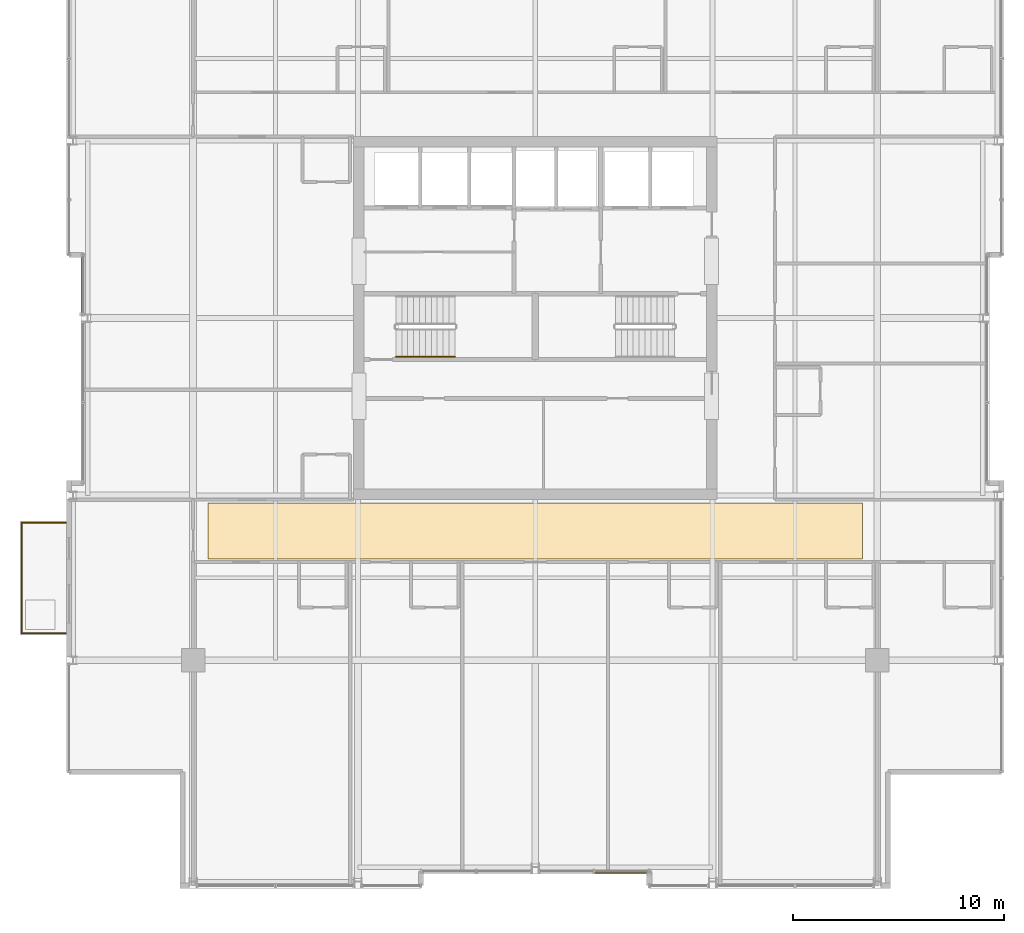
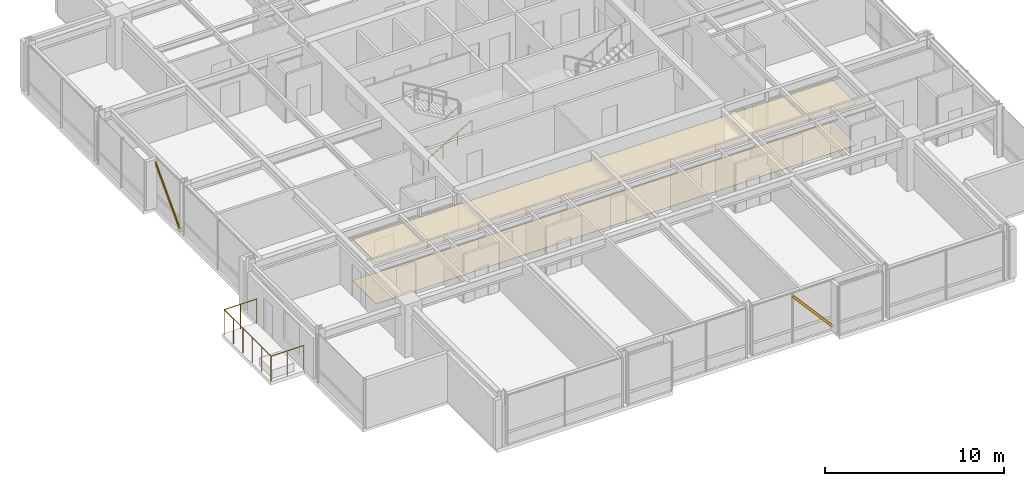
# One storey, part 30 of 32: 2 coverings, 2 railings, 2 shading devices.
"""IFC4 building model written with IfcOpenShell, lengths in metres."""

from ifc_helpers import new_model, si_unit, direction, frame, origin, origin_2d, place, context, subcontext, project, spatial, polyline, hollow_rectangle, circle, outline, extrude, material, layer, layer_set, material_profile, profile_set, type_object, element, save


model = new_model("IFC4")

# Units and contexts
model_context = context("Model", 3, precision=1e-05, world=origin(), true_north=direction((0.0, 1.0)))
body_context = subcontext(model_context, "Body", "Model", "MODEL_VIEW")
ifc_project = project(units=[si_unit("LENGTHUNIT", "METRE"), si_unit("AREAUNIT", "SQUARE_METRE"), si_unit("VOLUMEUNIT", "CUBIC_METRE"), si_unit("PLANEANGLEUNIT", "RADIAN"), si_unit("MASSUNIT", "GRAM", prefix="KILO")], contexts=[model_context])

# Site, building, storey
site_placement = place(None, origin())
site = spatial("IfcSite", under=ifc_project, at=site_placement, CompositionType="ELEMENT")
building_placement = place(site_placement, origin())
building = spatial("IfcBuilding", under=site, at=building_placement, Name="Drelvath Grand Hotel", CompositionType="ELEMENT")
storey_placement = place(building_placement, frame((0.0, 0.0, 233.89990234375)))
storey = spatial("IfcBuildingStorey", under=building, at=storey_placement, Name="L61", CompositionType="ELEMENT", Elevation=233.89990234375)

# Railing
ifc_material_1 = material(Name="Painted Steel S275", Category="steel")
railing_type_1 = type_object("IfcRailingType", Name="Core Stair Wall Handrail 900", PredefinedType="HANDRAIL", material=ifc_material_1)
railing_1_placement = place(storey_placement, frame((-6.60009765625, 25.169921875, 0.163818359375)))
element("IfcRailing", 1, at=railing_1_placement, inside=storey, type_object=railing_type_1, Name="L61 ST-1 stair handrail 1", PredefinedType="HANDRAIL", context=body_context, shape_type="SweptSolid", body=[
    extrude(circle(Radius=0.02392578125, at=origin_2d()), frame((0.0, 0.0, 0.8759765625), z_axis=(0.863393664356, 0.0, 0.504530851732), x_axis=(0.0, 1.0, 0.0)), (0.0, 0.0, 1.0), 3.2431640625),
    extrude(circle(Radius=0.02099609375, at=origin_2d()), origin(), (0.0, 0.0, 1.0), 0.851806640625),
    extrude(circle(Radius=0.02099609375, at=origin_2d()), frame((0.933349609375, 0.0, 0.54541015625)), (0.0, 0.0, 1.0), 0.851806640625),
    extrude(circle(Radius=0.02099609375, at=origin_2d()), frame((1.86669921875, 0.0, 1.0908203125)), (0.0, 0.0, 1.0), 0.851806640625),
    extrude(circle(Radius=0.02099609375, at=origin_2d()), frame((2.800048828125, 0.0, 1.63623046875)), (0.0, 0.0, 1.0), 0.851806640625),
])

# Shading devices
ifc_material_2 = material(Name="Platinum-Mist Anodised Aluminium", Category="aluminium")
ifc_material_profile = material_profile(ifc_material_2, hollow_rectangle(XDim=0.06494140625, YDim=0.159912109375, WallThickness=0.00390625, at=origin_2d()), Name="HSS160X65X4")
ifc_profile_set = profile_set([ifc_material_profile], Name="Platinum-Mist Anodised Aluminium")
shading_device_type = type_object("IfcShadingDeviceType", Name="Diagonal Solar Fin Platinum Anodised HSS160X65X4", PredefinedType="USERDEFINED", material=ifc_profile_set)
shading_device_1_placement = place(storey_placement, frame((-21.47998046875, 27.185302734375, 0.18017578125), z_axis=(0.0, 0.686658509865, 0.726980117218), x_axis=(-1.0, 0.0, 0.0)))
element("IfcShadingDevice", 2, at=shading_device_1_placement, inside=storey, type_object=shading_device_type, Name="L61 Diagonal Anodised Fin CW05-L61-WM2", ObjectType="FIN", PredefinedType="USERDEFINED", context=body_context, shape_type="SweptSolid", body=[
    extrude(hollow_rectangle(XDim=0.06494140625, YDim=0.159912109375, WallThickness=0.00390625, at=origin_2d()), origin(), (0.0, 0.0, 1.0), 4.09912109375),
])
shading_device_2_placement = place(storey_placement, frame((5.39990234375, 0.719970703125, 0.18017578125), z_axis=(-0.658460954074, 0.0, 0.752614889542), x_axis=(0.0, -1.0, 0.0)))
element("IfcShadingDevice", 3, at=shading_device_2_placement, inside=storey, type_object=shading_device_type, Name="L61 Diagonal Anodised Fin CW05-L61-SM2", ObjectType="FIN", PredefinedType="USERDEFINED", context=body_context, shape_type="SweptSolid", body=[
    extrude(hollow_rectangle(XDim=0.06494140625, YDim=0.159912109375, WallThickness=0.00390625, at=origin_2d()), origin(), (0.0, 0.0, 1.0), 3.95947265625),
])

# Coverings
ifc_material_3 = material(Name="Woven Wool Broadloom Carpet")
ifc_layer_1 = layer(ifc_material_3, 0.01806640625)
ifc_layer_set_1 = layer_set([ifc_layer_1], Name="Woven Wool Broadloom Carpet")
covering_type_1 = type_object("IfcCoveringType", Name="Hospitality Broadloom Carpet 18", PredefinedType="FLOORING", material=ifc_layer_set_1)
covering_1_placement = place(storey_placement, origin())
element("IfcCovering", 4, at=covering_1_placement, inside=storey, type_object=covering_type_1, Name="L61 Upper Gallery Carpet", PredefinedType="FLOORING", context=body_context, shape_type="SweptSolid", body=[
    extrude(outline(polyline([(15.5, 15.60009765625), (15.5, 18.25), (-15.5, 18.25), (-15.5, 15.60009765625), (15.5, 15.60009765625)])), origin(), (0.0, 0.0, 1.0), 0.01806640625),
])
ifc_material_4 = material(Name="Anodised Aluminium Alloy", Category="aluminium")
ifc_layer_2 = layer(ifc_material_4, 0.0400390625)
ifc_layer_set_2 = layer_set([ifc_layer_2], Name="Anodised Aluminium Alloy")
covering_type_2 = type_object("IfcCoveringType", Name="Perforated Metal Corridor Ceiling 40", PredefinedType="CEILING", material=ifc_layer_set_2)
covering_2_placement = place(storey_placement, frame((0.0, 0.0, 2.7900390625)))
element("IfcCovering", 5, at=covering_2_placement, inside=storey, type_object=covering_type_2, Name="L61 Upper Gallery Ceiling", PredefinedType="CEILING", context=body_context, shape_type="SweptSolid", body=[
    extrude(outline(polyline([(15.5, 15.60009765625), (15.5, 18.25), (-15.5, 18.25), (-15.5, 15.60009765625), (15.5, 15.60009765625)])), origin(), (0.0, 0.0, 1.0), 0.0400390625),
])

# Railing
ifc_material_5 = material(Name="Anodised Aluminium and Laminated Glass Balustrade", Category="aluminium")
railing_type_2 = type_object("IfcRailingType", Name="Raised Planter Edge Balustrade 1700", PredefinedType="BALUSTRADE", material=ifc_material_5)
railing_2_placement = place(storey_placement, frame((-22.219970703125, 12.080078125, 0.0)))
element("IfcRailing", 6, at=railing_2_placement, inside=storey, type_object=railing_type_2, Name="L61 Tree Balcony Perimeter Balustrade 1", PredefinedType="BALUSTRADE", context=body_context, shape_type="SweptSolid", body=[
    extrude(circle(Radius=0.02392578125, at=origin_2d()), frame((0.0, 0.0, 1.67578125), z_axis=(-1.0, 0.0, 0.0), x_axis=(0.0, -1.0, 0.0)), (0.0, 0.0, 1.0), 2.10009765625),
    extrude(circle(Radius=0.02392578125, at=origin_2d()), frame((-2.10009765625, 0.0, 1.67578125), z_axis=(0.0, 1.0, 0.0), x_axis=(-1.0, 0.0, 0.0)), (0.0, 0.0, 1.0), 5.239990234375),
    extrude(circle(Radius=0.02392578125, at=origin_2d()), frame((-2.10009765625, 5.239990234375, 1.67578125), z_axis=(1.0, 0.0, 0.0), x_axis=(0.0, 1.0, 0.0)), (0.0, 0.0, 1.0), 2.10009765625),
    extrude(circle(Radius=0.02099609375, at=origin_2d()), origin(), (0.0, 0.0, 1.0), 1.65185546875),
    extrude(circle(Radius=0.02099609375, at=origin_2d()), frame((-1.050048828125, 0.0, 0.0)), (0.0, 0.0, 1.0), 1.65185546875),
    extrude(circle(Radius=0.02099609375, at=origin_2d()), frame((-2.10009765625, 0.0, 0.0)), (0.0, 0.0, 1.0), 1.65185546875),
    extrude(circle(Radius=0.02099609375, at=origin_2d()), frame((-2.10009765625, 1.048095703125, 0.0)), (0.0, 0.0, 1.0), 1.65185546875),
    extrude(circle(Radius=0.02099609375, at=origin_2d()), frame((-2.10009765625, 2.095947265625, 0.0)), (0.0, 0.0, 1.0), 1.65185546875),
    extrude(circle(Radius=0.02099609375, at=origin_2d()), frame((-2.10009765625, 3.14404296875, 0.0)), (0.0, 0.0, 1.0), 1.65185546875),
    extrude(circle(Radius=0.02099609375, at=origin_2d()), frame((-2.10009765625, 4.19189453125, 0.0)), (0.0, 0.0, 1.0), 1.65185546875),
    extrude(circle(Radius=0.02099609375, at=origin_2d()), frame((-2.10009765625, 5.239990234375, 0.0)), (0.0, 0.0, 1.0), 1.65185546875),
    extrude(circle(Radius=0.02099609375, at=origin_2d()), frame((-1.050048828125, 5.239990234375, 0.0)), (0.0, 0.0, 1.0), 1.65185546875),
    extrude(circle(Radius=0.02099609375, at=origin_2d()), frame((0.0, 5.239990234375, 0.0)), (0.0, 0.0, 1.0), 1.65185546875),
])

save(model, "model.ifc")
